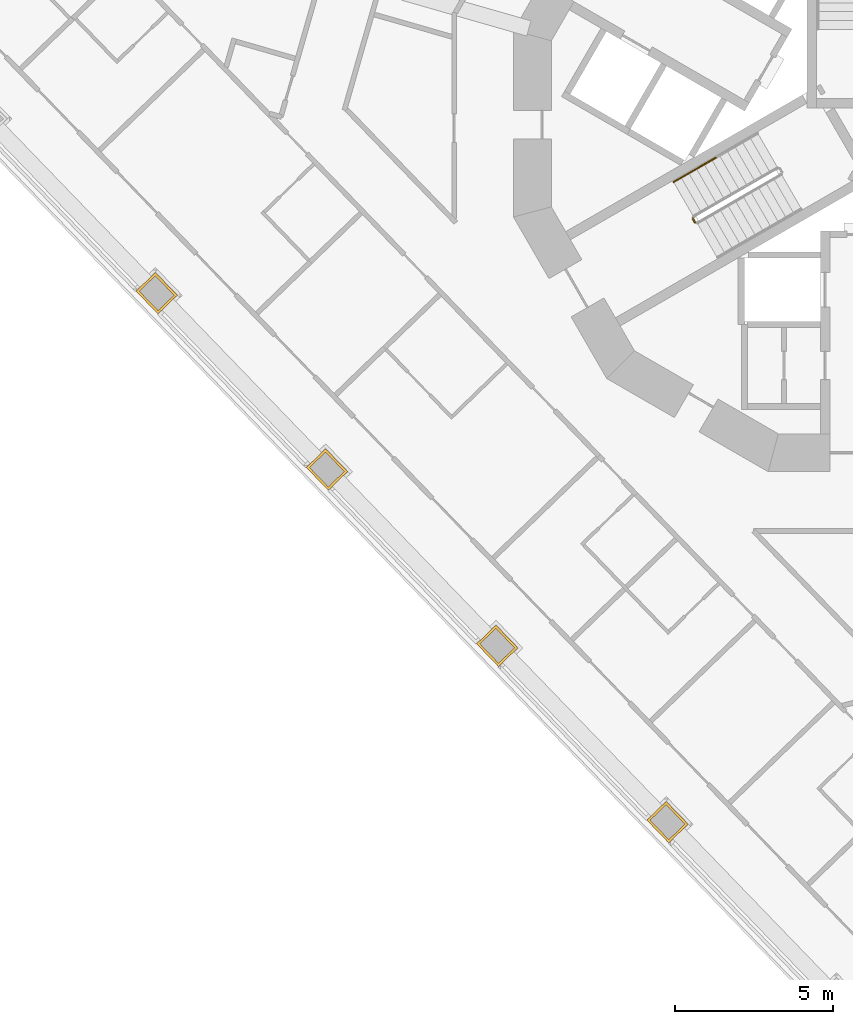
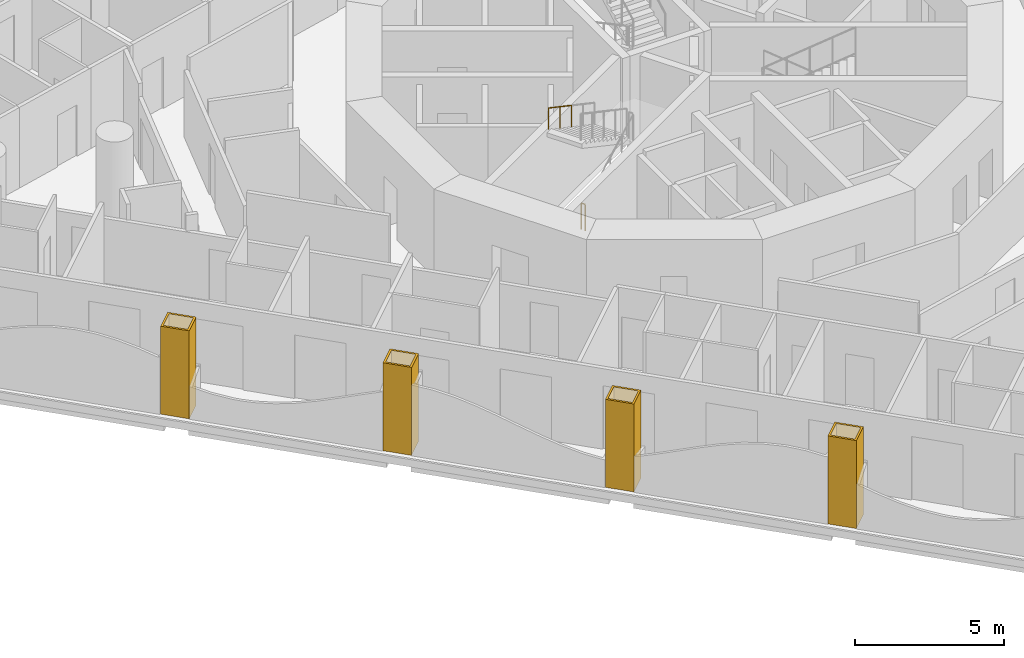
# One storey, part 13 of 20: 4 coverings, 2 railings.
"""IFC4 building model written with IfcOpenShell, lengths in metres."""

from ifc_helpers import new_model, si_unit, direction, frame, origin, origin_2d, place, context, subcontext, project, spatial, polyline, circle, outline, extrude, material, layer, layer_set, type_object, element, save


model = new_model("IFC4")

# Units and contexts
model_context = context("Model", 3, precision=1e-05, world=origin(), true_north=direction((0.0, 1.0)))
body_context = subcontext(model_context, "Body", "Model", "MODEL_VIEW")
ifc_project = project(units=[si_unit("LENGTHUNIT", "METRE"), si_unit("AREAUNIT", "SQUARE_METRE"), si_unit("VOLUMEUNIT", "CUBIC_METRE"), si_unit("PLANEANGLEUNIT", "RADIAN"), si_unit("MASSUNIT", "GRAM", prefix="KILO")], contexts=[model_context])

# Site, building, storey
site_placement = place(None, origin())
site = spatial("IfcSite", under=ifc_project, at=site_placement, CompositionType="ELEMENT")
building_placement = place(site_placement, origin())
building = spatial("IfcBuilding", under=site, at=building_placement, Name="Trine Commons Tower", CompositionType="ELEMENT")
storey_placement = place(building_placement, frame((0.0, 0.0, 101.699951171875)))
storey = spatial("IfcBuildingStorey", under=building, at=storey_placement, Name="L25", CompositionType="ELEMENT", Elevation=101.699951171875)

# Coverings
ifc_material_1 = material(Name="Limestone, honed", Category="masonry")
ifc_layer = layer(ifc_material_1, 0.074951171875)
ifc_layer_set = layer_set([ifc_layer], Name="Limestone, honed")
covering_type = type_object("IfcCoveringType", Name="Limestone column cladding 75", PredefinedType="CLADDING", material=ifc_layer_set)
covering_1_placement = place(storey_placement, origin())
element("IfcCovering", 1, at=covering_1_placement, inside=storey, type_object=covering_type, Name="Limestone pier cladding 3-03", PredefinedType="CLADDING", context=body_context, shape_type="SweptSolid", body=[
    extrude(outline(polyline([(73.8212890625, 41.0517578125), (73.209716796875, 40.461181640625), (73.904296875, 39.741943359375), (74.515869140625, 40.33251953125), (73.8212890625, 41.0517578125)]), holes=[polyline([(73.8193359375, 40.945556640625), (73.31591796875, 40.45947265625), (73.90625, 39.847900390625), (74.409912109375, 40.334228515625), (73.8193359375, 40.945556640625)])]), origin(), (0.0, 0.0, 1.0), 3.60009765625),
])
covering_2_placement = place(storey_placement, origin())
element("IfcCovering", 2, at=covering_2_placement, inside=storey, type_object=covering_type, Name="Limestone pier cladding 3-04", PredefinedType="CLADDING", context=body_context, shape_type="SweptSolid", body=[
    extrude(outline(polyline([(68.432373046875, 46.632080078125), (67.82080078125, 46.04150390625), (68.515380859375, 45.322265625), (69.126953125, 45.912841796875), (68.432373046875, 46.632080078125)]), holes=[polyline([(68.430419921875, 46.52587890625), (67.927001953125, 46.039794921875), (68.517333984375, 45.428466796875), (69.02099609375, 45.91455078125), (68.430419921875, 46.52587890625)])]), origin(), (0.0, 0.0, 1.0), 3.60009765625),
])
covering_3_placement = place(storey_placement, origin())
element("IfcCovering", 3, at=covering_3_placement, inside=storey, type_object=covering_type, Name="Limestone pier cladding 3-05", PredefinedType="CLADDING", context=body_context, shape_type="SweptSolid", body=[
    extrude(outline(polyline([(63.04345703125, 52.21240234375), (62.431884765625, 51.6220703125), (63.126708984375, 50.902587890625), (63.738037109375, 51.4931640625), (63.04345703125, 52.21240234375)]), holes=[polyline([(63.04150390625, 52.1064453125), (62.5380859375, 51.6201171875), (63.12841796875, 51.0087890625), (63.632080078125, 51.4951171875), (63.04150390625, 52.1064453125)])]), origin(), (0.0, 0.0, 1.0), 3.60009765625),
])
covering_4_placement = place(storey_placement, origin())
element("IfcCovering", 4, at=covering_4_placement, inside=storey, type_object=covering_type, Name="Limestone pier cladding 3-06", PredefinedType="CLADDING", context=body_context, shape_type="SweptSolid", body=[
    extrude(outline(polyline([(57.654296875, 57.792724609375), (57.04296875, 57.202392578125), (57.737548828125, 56.48291015625), (58.34912109375, 57.073486328125), (57.654296875, 57.792724609375)]), holes=[polyline([(57.652587890625, 57.686767578125), (57.14892578125, 57.200439453125), (57.739501953125, 56.589111328125), (58.242919921875, 57.0751953125), (57.652587890625, 57.686767578125)])]), origin(), (0.0, 0.0, 1.0), 3.60009765625),
])

# Railings
ifc_material_2 = material(Name="Stainless steel balustrade", Category="steel")
railing_type_1 = type_object("IfcRailingType", Name="Stair guard, steel balustrade 1100", PredefinedType="GUARDRAIL", material=ifc_material_2)
railing_1_placement = place(storey_placement, frame((74.73681640625, 59.374755859375, 0.0)))
element("IfcRailing", 5, at=railing_1_placement, inside=storey, type_object=railing_type_1, Name="L25 ST2A stair guard 4", PredefinedType="GUARDRAIL", context=body_context, shape_type="SweptSolid", body=[
    extrude(circle(Radius=0.02392578125, at=origin_2d()), frame((0.0, 0.0, 1.076171875), z_axis=(-0.499816412211, 0.866131372301, 0.0), x_axis=(-0.866131372301, -0.499816412211, 0.0)), (0.0, 0.0, 1.0), 0.14990234375),
    extrude(circle(Radius=0.02099609375, at=origin_2d()), origin(), (0.0, 0.0, 1.0), 1.052001953125),
    extrude(circle(Radius=0.02099609375, at=origin_2d()), frame((-0.074951171875, 0.1298828125, 0.0)), (0.0, 0.0, 1.0), 1.052001953125),
])
ifc_material_3 = material(Name="Stainless steel handrail", Category="steel")
railing_type_2 = type_object("IfcRailingType", Name="Stair handrail, steel 900", PredefinedType="HANDRAIL", material=ifc_material_3)
railing_2_placement = place(storey_placement, frame((75.388916015625, 61.425537109375, 2.775146484375)))
element("IfcRailing", 6, at=railing_2_placement, inside=storey, type_object=railing_type_2, Name="L25 ST2A stair handrail 4", PredefinedType="HANDRAIL", context=body_context, shape_type="SweptSolid", body=[
    extrude(circle(Radius=0.02099609375, at=origin_2d()), frame((0.0, 0.0, 0.87890625), z_axis=(-0.76340495495, -0.440743040072, 0.472184759798), x_axis=(0.499992328818, -0.866029832698, 0.0)), (0.0, 0.0, 1.0), 1.7470703125),
    extrude(circle(Radius=0.01513671875, at=origin_2d()), origin(), (0.0, 0.0, 1.0), 0.85791015625),
    extrude(circle(Radius=0.01513671875, at=origin_2d()), frame((-0.6669921875, -0.385009765625, 0.41259765625)), (0.0, 0.0, 1.0), 0.85791015625),
    extrude(circle(Radius=0.01513671875, at=origin_2d()), frame((-1.333740234375, -0.77001953125, 0.824951171875)), (0.0, 0.0, 1.0), 0.85791015625),
])

save(model, "model.ifc")
